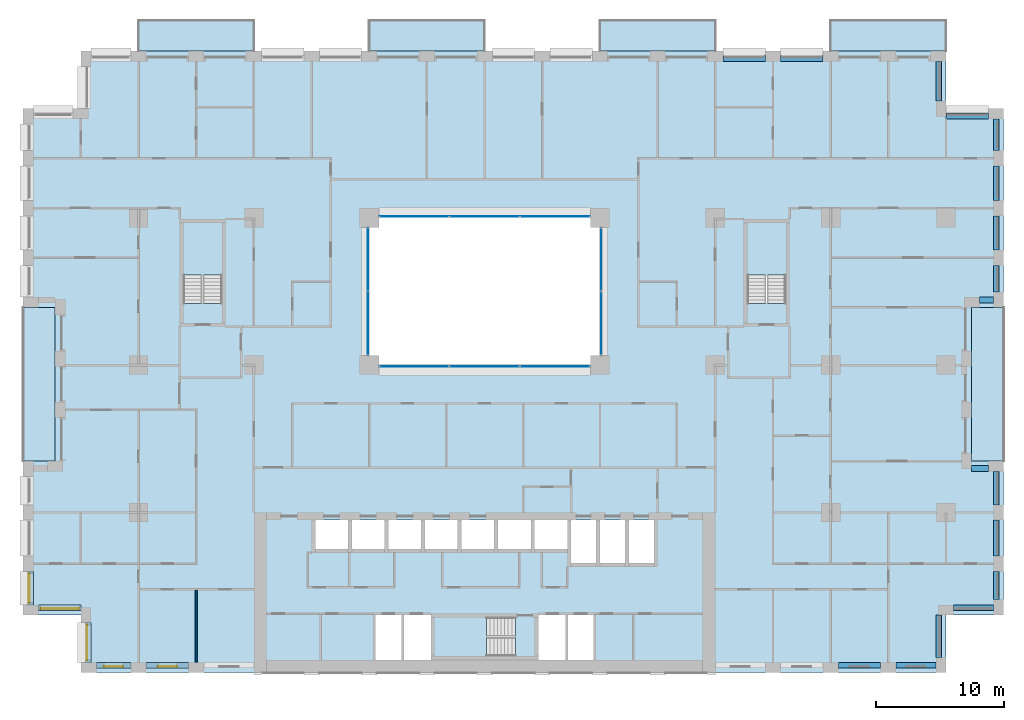
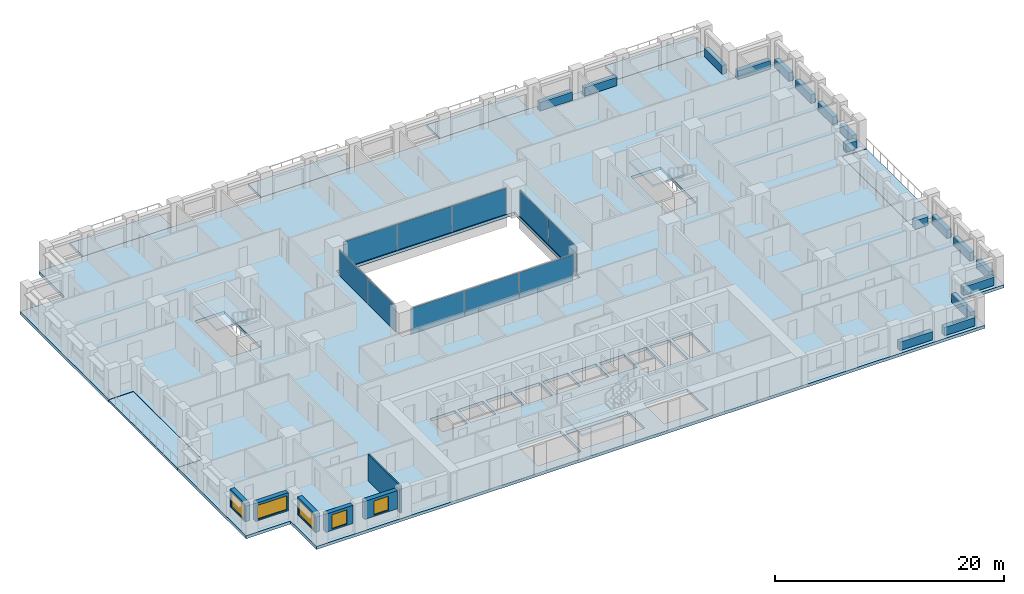
# One storey, part 8 of 19: 17 beams, 10 plates, 10 slabs, 6 walls, 5 windows, 5 openings, 7 elements without a shape of their own.
"""IFC4 building model written with IfcOpenShell, lengths in metres."""

from ifc_helpers import new_model, si_unit, direction, frame, frame_2d, origin, origin_2d, place, context, subcontext, project, spatial, polyline, rectangle, outline, extrude, material, layer, layer_set, material_profile, profile_set, type_object, element, fill, aggregate, save


model = new_model("IFC4")

# Units and contexts
model_context = context("Model", 3, precision=1e-05, world=origin(), true_north=direction((0.0, 1.0)))
body_context = subcontext(model_context, "Body", "Model", "MODEL_VIEW")
ifc_project = project(units=[si_unit("LENGTHUNIT", "METRE"), si_unit("AREAUNIT", "SQUARE_METRE"), si_unit("VOLUMEUNIT", "CUBIC_METRE"), si_unit("PLANEANGLEUNIT", "RADIAN"), si_unit("MASSUNIT", "GRAM", prefix="KILO")], contexts=[model_context])

# Site, building, storey
site_placement = place(None, origin())
site = spatial("IfcSite", under=ifc_project, at=site_placement, CompositionType="ELEMENT")
building_placement = place(site_placement, origin())
building = spatial("IfcBuilding", under=site, at=building_placement, Name="Brigalow Station Residences", CompositionType="ELEMENT")
storey_placement = place(building_placement, frame((0.0, 0.0, 19.5)))
storey = spatial("IfcBuildingStorey", under=building, at=storey_placement, Name="L04", CompositionType="ELEMENT", Elevation=19.5)

# Beams
ifc_material_1 = material(Name="Concrete C65", Category="concrete")
ifc_material_profile = material_profile(ifc_material_1, rectangle(XDim=0.449951171875, YDim=0.89990234375, at=origin_2d()), Name="RC450x900")
ifc_profile_set = profile_set([ifc_material_profile], Name="Concrete C65")
beam_type = type_object("IfcBeamType", Name="SPANDREL BEAM 450x900 C65", PredefinedType="SPANDREL", material=ifc_profile_set)
beam_1_placement = place(storey_placement, frame((63.60009765625, 0.574951171875, 0.449951171875), z_axis=(1.0, 0.0, 0.0), x_axis=(0.0, 1.0, 0.0)))
element("IfcBeam", 1, at=beam_1_placement, inside=storey, type_object=beam_type, Name="L04/spandrel/W-L04-7", PredefinedType="SPANDREL", context=body_context, shape_type="SweptSolid", body=[
    extrude(rectangle(XDim=0.449951171875, YDim=0.89990234375, at=origin_2d()), origin(), (0.0, 0.0, 1.0), 3.2998046875),
])
beam_2_placement = place(storey_placement, frame((68.10009765625, 0.574951171875, 0.449951171875), z_axis=(1.0, 0.0, 0.0), x_axis=(0.0, 1.0, 0.0)))
element("IfcBeam", 2, at=beam_2_placement, inside=storey, type_object=beam_type, Name="L04/spandrel/W-L04-8", PredefinedType="SPANDREL", context=body_context, shape_type="SweptSolid", body=[
    extrude(rectangle(XDim=0.449951171875, YDim=0.89990234375, at=origin_2d()), origin(), (0.0, 0.0, 1.0), 3.099853515625),
])
beam_3_placement = place(storey_placement, frame((71.425048828125, 1.199951171875, 0.449951171875), z_axis=(0.0, 1.0, 0.0), x_axis=(-1.0, 0.0, 0.0)))
element("IfcBeam", 3, at=beam_3_placement, inside=storey, type_object=beam_type, Name="L04/spandrel/W-L04-9", PredefinedType="SPANDREL", context=body_context, shape_type="SweptSolid", body=[
    extrude(rectangle(XDim=0.449951171875, YDim=0.89990234375, at=origin_2d()), origin(), (0.0, 0.0, 1.0), 3.300048828125),
])
beam_4_placement = place(storey_placement, frame((72.60009765625, 5.074951171875, 0.449951171875), z_axis=(1.0, 0.0, 0.0), x_axis=(0.0, 1.0, 0.0)))
element("IfcBeam", 4, at=beam_4_placement, inside=storey, type_object=beam_type, Name="L04/spandrel/W-L04-10", PredefinedType="SPANDREL", context=body_context, shape_type="SweptSolid", body=[
    extrude(rectangle(XDim=0.449951171875, YDim=0.89990234375, at=origin_2d()), origin(), (0.0, 0.0, 1.0), 3.099853515625),
])
beam_5_placement = place(storey_placement, frame((75.925048828125, 5.699951171875, 0.449951171875), z_axis=(0.0, 1.0, 0.0), x_axis=(-1.0, 0.0, 0.0)))
element("IfcBeam", 5, at=beam_5_placement, inside=storey, type_object=beam_type, Name="L04/spandrel/W-L04-11", PredefinedType="SPANDREL", context=body_context, shape_type="SweptSolid", body=[
    extrude(rectangle(XDim=0.449951171875, YDim=0.89990234375, at=origin_2d()), origin(), (0.0, 0.0, 1.0), 2.199951171875),
])
beam_6_placement = place(storey_placement, frame((75.925048828125, 9.10009765625, 0.449951171875), z_axis=(0.0, 1.0, 0.0), x_axis=(-1.0, 0.0, 0.0)))
element("IfcBeam", 6, at=beam_6_placement, inside=storey, type_object=beam_type, Name="L04/spandrel/W-L04-12", PredefinedType="SPANDREL", context=body_context, shape_type="SweptSolid", body=[
    extrude(rectangle(XDim=0.449951171875, YDim=0.89990234375, at=origin_2d()), origin(), (0.0, 0.0, 1.0), 2.7998046875),
])
beam_7_placement = place(storey_placement, frame((75.925048828125, 13.10009765625, 0.449951171875), z_axis=(0.0, 1.0, 0.0), x_axis=(-1.0, 0.0, 0.0)))
element("IfcBeam", 7, at=beam_7_placement, inside=storey, type_object=beam_type, Name="L04/spandrel/W-L04-13", PredefinedType="SPANDREL", context=body_context, shape_type="SweptSolid", body=[
    extrude(rectangle(XDim=0.449951171875, YDim=0.89990234375, at=origin_2d()), origin(), (0.0, 0.0, 1.0), 2.599853515625),
])
beam_8_placement = place(storey_placement, frame((75.300048828125, 15.925048828125, 0.449951171875), z_axis=(-1.0, 0.0, 0.0), x_axis=(0.0, -1.0, 0.0)))
element("IfcBeam", 8, at=beam_8_placement, inside=storey, type_object=beam_type, Name="L04/spandrel/W-L04-14", PredefinedType="SPANDREL", context=body_context, shape_type="SweptSolid", body=[
    extrude(rectangle(XDim=0.449951171875, YDim=0.89990234375, at=origin_2d()), origin(), (0.0, 0.0, 1.0), 1.300048828125),
])
beam_9_placement = place(storey_placement, frame((74.60009765625, 29.074951171875, 0.449951171875), z_axis=(1.0, 0.0, 0.0), x_axis=(0.0, 1.0, 0.0)))
element("IfcBeam", 9, at=beam_9_placement, inside=storey, type_object=beam_type, Name="L04/spandrel/W-L04-18", PredefinedType="SPANDREL", context=body_context, shape_type="SweptSolid", body=[
    extrude(rectangle(XDim=0.449951171875, YDim=0.89990234375, at=origin_2d()), origin(), (0.0, 0.0, 1.0), 1.099853515625),
])
beam_10_placement = place(storey_placement, frame((75.925048828125, 29.699951171875, 0.449951171875), z_axis=(0.0, 1.0, 0.0), x_axis=(-1.0, 0.0, 0.0)))
element("IfcBeam", 10, at=beam_10_placement, inside=storey, type_object=beam_type, Name="L04/spandrel/W-L04-19", PredefinedType="SPANDREL", context=body_context, shape_type="SweptSolid", body=[
    extrude(rectangle(XDim=0.449951171875, YDim=0.89990234375, at=origin_2d()), origin(), (0.0, 0.0, 1.0), 2.074951171875),
])
for number, where, z_axis, x_axis, name in (
    (11, (75.925048828125, 32.97509765625, 0.449951171875), (0.0, 1.0, 0.0), (-1.0, 0.0, 0.0), "L04/spandrel/W-L04-20"),
    (12, (75.925048828125, 36.85009765625, 0.449951171875), (0.0, 1.0, 0.0), (-1.0, 0.0, 0.0), "L04/spandrel/W-L04-21"),
):
    element("IfcBeam", number, at=place(storey_placement, frame(where, z_axis=z_axis, x_axis=x_axis)), inside=storey, type_object=beam_type, Name=name, PredefinedType="SPANDREL", context=body_context, shape_type="SweptSolid", body=[
        extrude(rectangle(XDim=0.449951171875, YDim=0.89990234375, at=origin_2d()), origin(), (0.0, 0.0, 1.0), 2.6748046875),
    ])
beam_11_placement = place(storey_placement, frame((75.925048828125, 40.72509765625, 0.449951171875), z_axis=(0.0, 1.0, 0.0), x_axis=(-1.0, 0.0, 0.0)))
element("IfcBeam", 13, at=beam_11_placement, inside=storey, type_object=beam_type, Name="L04/spandrel/W-L04-22", PredefinedType="SPANDREL", context=body_context, shape_type="SweptSolid", body=[
    extrude(rectangle(XDim=0.449951171875, YDim=0.89990234375, at=origin_2d()), origin(), (0.0, 0.0, 1.0), 2.474853515625),
])
beam_12_placement = place(storey_placement, frame((75.300048828125, 43.425048828125, 0.449951171875), z_axis=(-1.0, 0.0, 0.0), x_axis=(0.0, -1.0, 0.0)))
element("IfcBeam", 14, at=beam_12_placement, inside=storey, type_object=beam_type, Name="L04/spandrel/W-L04-23", PredefinedType="SPANDREL", context=body_context, shape_type="SweptSolid", body=[
    extrude(rectangle(XDim=0.449951171875, YDim=0.89990234375, at=origin_2d()), origin(), (0.0, 0.0, 1.0), 3.300048828125),
])
beam_13_placement = place(storey_placement, frame((71.425048828125, 44.60009765625, 0.449951171875), z_axis=(0.0, 1.0, 0.0), x_axis=(-1.0, 0.0, 0.0)))
element("IfcBeam", 15, at=beam_13_placement, inside=storey, type_object=beam_type, Name="L04/spandrel/W-L04-24", PredefinedType="SPANDREL", context=body_context, shape_type="SweptSolid", body=[
    extrude(rectangle(XDim=0.449951171875, YDim=0.89990234375, at=origin_2d()), origin(), (0.0, 0.0, 1.0), 3.099853515625),
])
for number, where, z_axis, x_axis, name in (
    (16, (62.39990234375, 47.925048828125, 0.449951171875), (-1.0, 0.0, 0.0), (0.0, -1.0, 0.0), "L04/spandrel/W-L04-27"),
    (17, (57.89990234375, 47.925048828125, 0.449951171875), (-1.0, 0.0, 0.0), (0.0, -1.0, 0.0), "L04/spandrel/W-L04-28"),
):
    element("IfcBeam", number, at=place(storey_placement, frame(where, z_axis=z_axis, x_axis=x_axis)), inside=storey, type_object=beam_type, Name=name, PredefinedType="SPANDREL", context=body_context, shape_type="SweptSolid", body=[
        extrude(rectangle(XDim=0.449951171875, YDim=0.89990234375, at=origin_2d()), origin(), (0.0, 0.0, 1.0), 3.2998046875),
    ])

# Curtain wall, plates
ifc_material_2 = material(Name="Aluminium", Category="aluminium")
ifc_layer_1 = layer(ifc_material_2, 0.14990234375)
ifc_layer_set_1 = layer_set([ifc_layer_1], Name="ATRIUM FIRE-RATED GLAZING CURTAIN WALL")
curtain_wall_type = type_object("IfcCurtainWallType", Name="ATRIUM FIRE-RATED GLAZING CURTAIN WALL", PredefinedType="NOTDEFINED", material=ifc_layer_set_1)
curtain_wall_1_placement = place(storey_placement, origin())
curtain_wall_1 = element("IfcCurtainWall", 18, at=curtain_wall_1_placement, inside=storey, type_object=curtain_wall_type, Name="L04/cw/atrium-S", PredefinedType="NOTDEFINED")
ifc_material_3 = material(Name="Fire-resisting laminated glazing, FRL -/60/-", Category="glass")
ifc_layer_2 = layer(ifc_material_3, 0.031982421875)
ifc_layer_set_2 = layer_set([ifc_layer_2], Name="ATRIUM FIRE-RATED GLAZING PANEL 32")
plate_type = type_object("IfcPlateType", Name="ATRIUM FIRE-RATED GLAZING PANEL 32", PredefinedType="CURTAIN_PANEL", material=ifc_layer_set_2)
plate_1_placement = place(storey_placement, frame((30.514892578125, 23.89990234375, 0.0), z_axis=(0.0, 0.0, 1.0), x_axis=(1.0, 0.0, 0.0)))
plate_1 = element("IfcPlate", 19, at=plate_1_placement, type_object=plate_type, Name="L04/cw/atrium-S/P00-00", PredefinedType="CURTAIN_PANEL", context=body_context, shape_type="SweptSolid", body=[
    extrude(rectangle(XDim=5.409912109375, YDim=0.031982421875, at=origin_2d()), origin(), (0.0, 0.0, 1.0), 2.77001953125),
])
plate_2_placement = place(storey_placement, frame((36.0, 23.89990234375, 0.0), z_axis=(0.0, 0.0, 1.0), x_axis=(1.0, 0.0, 0.0)))
plate_2 = element("IfcPlate", 20, at=plate_2_placement, type_object=plate_type, Name="L04/cw/atrium-S/P01-00", PredefinedType="CURTAIN_PANEL", context=body_context, shape_type="SweptSolid", body=[
    extrude(rectangle(XDim=5.43994140625, YDim=0.031982421875, at=origin_2d()), origin(), (0.0, 0.0, 1.0), 2.77001953125),
])
plate_3_placement = place(storey_placement, frame((41.485107421875, 23.89990234375, 0.0), z_axis=(0.0, 0.0, 1.0), x_axis=(1.0, 0.0, 0.0)))
plate_3 = element("IfcPlate", 21, at=plate_3_placement, type_object=plate_type, Name="L04/cw/atrium-S/P02-00", PredefinedType="CURTAIN_PANEL", context=body_context, shape_type="SweptSolid", body=[
    extrude(rectangle(XDim=5.409912109375, YDim=0.031982421875, at=origin_2d()), origin(), (0.0, 0.0, 1.0), 2.77001953125),
])
aggregate(curtain_wall_1, [plate_1, plate_2, plate_3])

curtain_wall_2_placement = place(storey_placement, origin())
curtain_wall_2 = element("IfcCurtainWall", 22, at=curtain_wall_2_placement, inside=storey, type_object=curtain_wall_type, Name="L04/cw/atrium-E", PredefinedType="NOTDEFINED")
plate_4_placement = place(storey_placement, frame((45.10009765625, 27.264892578125, 0.0), z_axis=(0.0, 0.0, 1.0), x_axis=(0.0, 1.0, 0.0)))
plate_4 = element("IfcPlate", 23, at=plate_4_placement, type_object=plate_type, Name="L04/cw/atrium-E/P00-00", PredefinedType="CURTAIN_PANEL", context=body_context, shape_type="SweptSolid", body=[
    extrude(rectangle(XDim=4.909912109375, YDim=0.031982421875, at=origin_2d()), origin(), (0.0, 0.0, 1.0), 2.77001953125),
])
plate_5_placement = place(storey_placement, frame((45.10009765625, 32.235107421875, 0.0), z_axis=(0.0, 0.0, 1.0), x_axis=(0.0, 1.0, 0.0)))
plate_5 = element("IfcPlate", 24, at=plate_5_placement, type_object=plate_type, Name="L04/cw/atrium-E/P01-00", PredefinedType="CURTAIN_PANEL", context=body_context, shape_type="SweptSolid", body=[
    extrude(rectangle(XDim=4.909912109375, YDim=0.031982421875, at=origin_2d()), origin(), (0.0, 0.0, 1.0), 2.77001953125),
])
aggregate(curtain_wall_2, [plate_4, plate_5])

curtain_wall_3_placement = place(storey_placement, origin())
curtain_wall_3 = element("IfcCurtainWall", 25, at=curtain_wall_3_placement, inside=storey, type_object=curtain_wall_type, Name="L04/cw/atrium-N", PredefinedType="NOTDEFINED")
plate_6_placement = place(storey_placement, frame((41.485107421875, 35.60009765625, 0.0), z_axis=(0.0, 0.0, 1.0), x_axis=(-1.0, 0.0, 0.0)))
plate_6 = element("IfcPlate", 26, at=plate_6_placement, type_object=plate_type, Name="L04/cw/atrium-N/P00-00", PredefinedType="CURTAIN_PANEL", context=body_context, shape_type="SweptSolid", body=[
    extrude(rectangle(XDim=5.409912109375, YDim=0.031982421875, at=origin_2d()), origin(), (0.0, 0.0, 1.0), 2.77001953125),
])
plate_7_placement = place(storey_placement, frame((36.0, 35.60009765625, 0.0), z_axis=(0.0, 0.0, 1.0), x_axis=(-1.0, 0.0, 0.0)))
plate_7 = element("IfcPlate", 27, at=plate_7_placement, type_object=plate_type, Name="L04/cw/atrium-N/P01-00", PredefinedType="CURTAIN_PANEL", context=body_context, shape_type="SweptSolid", body=[
    extrude(rectangle(XDim=5.43994140625, YDim=0.031982421875, at=origin_2d()), origin(), (0.0, 0.0, 1.0), 2.77001953125),
])
plate_8_placement = place(storey_placement, frame((30.514892578125, 35.60009765625, 0.0), z_axis=(0.0, 0.0, 1.0), x_axis=(-1.0, 0.0, 0.0)))
plate_8 = element("IfcPlate", 28, at=plate_8_placement, type_object=plate_type, Name="L04/cw/atrium-N/P02-00", PredefinedType="CURTAIN_PANEL", context=body_context, shape_type="SweptSolid", body=[
    extrude(rectangle(XDim=5.409912109375, YDim=0.031982421875, at=origin_2d()), origin(), (0.0, 0.0, 1.0), 2.77001953125),
])
aggregate(curtain_wall_3, [plate_6, plate_7, plate_8])

curtain_wall_4_placement = place(storey_placement, origin())
curtain_wall_4 = element("IfcCurtainWall", 29, at=curtain_wall_4_placement, inside=storey, type_object=curtain_wall_type, Name="L04/cw/atrium-W", PredefinedType="NOTDEFINED")
plate_9_placement = place(storey_placement, frame((26.89990234375, 32.235107421875, 0.0), z_axis=(0.0, 0.0, 1.0), x_axis=(0.0, -1.0, 0.0)))
plate_9 = element("IfcPlate", 30, at=plate_9_placement, type_object=plate_type, Name="L04/cw/atrium-W/P00-00", PredefinedType="CURTAIN_PANEL", context=body_context, shape_type="SweptSolid", body=[
    extrude(rectangle(XDim=4.909912109375, YDim=0.031982421875, at=origin_2d()), origin(), (0.0, 0.0, 1.0), 2.77001953125),
])
plate_10_placement = place(storey_placement, frame((26.89990234375, 27.264892578125, 0.0), z_axis=(0.0, 0.0, 1.0), x_axis=(0.0, -1.0, 0.0)))
plate_10 = element("IfcPlate", 31, at=plate_10_placement, type_object=plate_type, Name="L04/cw/atrium-W/P01-00", PredefinedType="CURTAIN_PANEL", context=body_context, shape_type="SweptSolid", body=[
    extrude(rectangle(XDim=4.909912109375, YDim=0.031982421875, at=origin_2d()), origin(), (0.0, 0.0, 1.0), 2.77001953125),
])
aggregate(curtain_wall_4, [plate_9, plate_10])

# Slabs
ifc_material_4 = material(Name="Concrete C50 precast", Category="concrete")
ifc_layer_3 = layer(ifc_material_4, 0.25)
ifc_layer_set_3 = layer_set([ifc_layer_3], Name="BALCONY SLAB 250")
slab_type_1 = type_object("IfcSlabType", Name="BALCONY SLAB 250", PredefinedType="USERDEFINED", material=ifc_layer_set_3)
slab_1_placement = place(storey_placement, frame((0.0, 0.0, -0.2900390625)))
element("IfcSlab", 32, at=slab_1_placement, inside=storey, type_object=slab_type_1, Name="L04/balcony/1", ObjectType="BALCONY", PredefinedType="USERDEFINED", context=body_context, shape_type="SweptSolid", body=[
    extrude(outline(polyline([(74.0, 16.5), (76.5, 16.5), (76.5, 28.5), (74.0, 28.5), (74.0, 16.5)])), origin(), (0.0, 0.0, 1.0), 0.25),
])
slab_2_placement = place(storey_placement, frame((0.0, 0.0, -0.2900390625)))
element("IfcSlab", 33, at=slab_2_placement, inside=storey, type_object=slab_type_1, Name="L04/balcony/2", ObjectType="BALCONY", PredefinedType="USERDEFINED", context=body_context, shape_type="SweptSolid", body=[
    extrude(outline(polyline([(72.0, 48.5), (72.0, 50.89990234375), (63.0, 50.89990234375), (63.0, 48.5), (72.0, 48.5)])), origin(), (0.0, 0.0, 1.0), 0.25),
])
slab_3_placement = place(storey_placement, frame((0.0, 0.0, -0.2900390625)))
element("IfcSlab", 34, at=slab_3_placement, inside=storey, type_object=slab_type_1, Name="L04/balcony/3", ObjectType="BALCONY", PredefinedType="USERDEFINED", context=body_context, shape_type="SweptSolid", body=[
    extrude(outline(polyline([(54.0, 48.5), (54.0, 50.89990234375), (45.0, 50.89990234375), (45.0, 48.5), (54.0, 48.5)])), origin(), (0.0, 0.0, 1.0), 0.25),
])
slab_4_placement = place(storey_placement, frame((0.0, 0.0, -0.2900390625)))
element("IfcSlab", 35, at=slab_4_placement, inside=storey, type_object=slab_type_1, Name="L04/balcony/4", ObjectType="BALCONY", PredefinedType="USERDEFINED", context=body_context, shape_type="SweptSolid", body=[
    extrude(outline(polyline([(36.0, 48.5), (36.0, 50.89990234375), (27.0, 50.89990234375), (27.0, 48.5), (36.0, 48.5)])), origin(), (0.0, 0.0, 1.0), 0.25),
])
slab_5_placement = place(storey_placement, frame((0.0, 0.0, -0.2900390625)))
element("IfcSlab", 36, at=slab_5_placement, inside=storey, type_object=slab_type_1, Name="L04/balcony/5", ObjectType="BALCONY", PredefinedType="USERDEFINED", context=body_context, shape_type="SweptSolid", body=[
    extrude(outline(polyline([(18.0, 48.5), (18.0, 50.89990234375), (9.0, 50.89990234375), (9.0, 48.5), (18.0, 48.5)])), origin(), (0.0, 0.0, 1.0), 0.25),
])
slab_6_placement = place(storey_placement, frame((0.0, 0.0, -0.2900390625)))
element("IfcSlab", 37, at=slab_6_placement, inside=storey, type_object=slab_type_1, Name="L04/balcony/6", ObjectType="BALCONY", PredefinedType="USERDEFINED", context=body_context, shape_type="SweptSolid", body=[
    extrude(outline(polyline([(2.5, 28.5), (0.0, 28.5), (0.0, 16.5), (2.5, 16.5), (2.5, 28.5)])), origin(), (0.0, 0.0, 1.0), 0.25),
])
ifc_material_5 = material(Name="Concrete C50", Category="concrete")
ifc_layer_4 = layer(ifc_material_5, 0.320068359375)
ifc_layer_set_4 = layer_set([ifc_layer_4], Name="POST-TENSIONED FLAT PLATE 320 C50")
slab_type_2 = type_object("IfcSlabType", Name="POST-TENSIONED FLAT PLATE 320 C50", PredefinedType="FLOOR", material=ifc_layer_set_4)
slab_7_placement = place(storey_placement, frame((0.0, 0.0, -0.320068359375)))
element("IfcSlab", 38, at=slab_7_placement, inside=storey, type_object=slab_type_2, Name="FLOOR SLAB L04", PredefinedType="FLOOR", context=body_context, shape_type="SweptSolid", body=[
    extrude(outline(polyline([(4.5, 0.0), (72.0, 0.0), (72.0, 4.5), (76.5, 4.5), (76.5, 16.5), (74.0, 16.5), (74.0, 28.5), (76.5, 28.5), (76.5, 44.0), (72.0, 44.0), (72.0, 48.5), (4.5, 48.5), (4.5, 44.0), (0.0, 44.0), (0.0, 28.5), (2.5, 28.5), (2.5, 16.5), (0.0, 16.5), (0.0, 4.5), (4.5, 4.5), (4.5, 0.0)]), holes=[polyline([(15.4951171875, 35.094970703125), (15.4951171875, 28.804931640625), (12.5048828125, 28.804931640625), (12.5048828125, 35.094970703125), (15.4951171875, 35.094970703125)]), polyline([(22.800048828125, 11.89990234375), (25.35009765625, 11.89990234375), (25.35009765625, 9.64990234375), (22.800048828125, 9.64990234375), (22.800048828125, 11.89990234375)]), polyline([(25.64990234375, 11.89990234375), (28.199951171875, 11.89990234375), (28.199951171875, 9.64990234375), (25.64990234375, 9.64990234375), (25.64990234375, 11.89990234375)]), polyline([(28.5, 11.89990234375), (31.050048828125, 11.89990234375), (31.050048828125, 9.64990234375), (28.5, 9.64990234375), (28.5, 11.89990234375)]), polyline([(29.60009765625, 1.0), (27.39990234375, 1.0), (27.39990234375, 4.60009765625), (29.60009765625, 4.60009765625), (31.800048828125, 4.60009765625), (31.800048828125, 1.0), (29.60009765625, 1.0)]), polyline([(31.35009765625, 11.89990234375), (33.89990234375, 11.89990234375), (33.89990234375, 9.64990234375), (31.35009765625, 9.64990234375), (31.35009765625, 11.89990234375)]), polyline([(32.10498046875, 4.294921875), (38.39501953125, 4.294921875), (38.39501953125, 1.304931640625), (32.10498046875, 1.304931640625), (32.10498046875, 4.294921875)]), polyline([(36.75, 11.89990234375), (36.75, 9.64990234375), (34.199951171875, 9.64990234375), (34.199951171875, 11.89990234375), (36.75, 11.89990234375)]), polyline([(37.050048828125, 11.89990234375), (39.60009765625, 11.89990234375), (39.60009765625, 9.64990234375), (37.050048828125, 9.64990234375), (37.050048828125, 11.89990234375)]), polyline([(39.89990234375, 11.89990234375), (42.449951171875, 11.89990234375), (42.449951171875, 9.64990234375), (39.89990234375, 9.64990234375), (39.89990234375, 11.89990234375)]), polyline([(42.39990234375, 1.0), (40.199951171875, 1.0), (40.199951171875, 4.60009765625), (42.39990234375, 4.60009765625), (44.60009765625, 4.60009765625), (44.60009765625, 1.0), (42.39990234375, 1.0)]), polyline([(42.75, 11.89990234375), (44.699951171875, 11.89990234375), (44.699951171875, 8.550048828125), (42.75, 8.550048828125), (42.75, 11.89990234375)]), polyline([(45.0, 11.89990234375), (46.949951171875, 11.89990234375), (46.949951171875, 8.550048828125), (45.0, 8.550048828125), (45.0, 11.89990234375)]), polyline([(45.0, 35.5), (45.0, 24.0), (27.0, 24.0), (27.0, 35.5), (45.0, 35.5)]), polyline([(47.25, 11.89990234375), (49.199951171875, 11.89990234375), (49.199951171875, 8.550048828125), (47.25, 8.550048828125), (47.25, 11.89990234375)]), polyline([(59.4951171875, 35.094970703125), (59.4951171875, 28.804931640625), (56.5048828125, 28.804931640625), (56.5048828125, 35.094970703125), (59.4951171875, 35.094970703125)])]), origin(), (0.0, 0.0, 1.0), 0.320068359375),
])

# Stair, slab
ifc_material_6 = material(Name="Concrete C50", Category="concrete")
stair_type = type_object("IfcStairType", Name="EXIT STAIR 1400 2 FLIGHT", PredefinedType="HALF_TURN_STAIR", material=ifc_material_6)
stair_1_placement = place(storey_placement, origin())
stair_1 = element("IfcStair", 39, at=stair_1_placement, inside=storey, type_object=stair_type, Name="EXIT STAIR S2 L04", PredefinedType="HALF_TURN_STAIR")
ifc_material_7 = material(Name="Concrete C50", Category="concrete")
ifc_layer_5 = layer(ifc_material_7, 0.199951171875)
ifc_layer_set_5 = layer_set([ifc_layer_5], Name="STAIR LANDING 200")
slab_type_3 = type_object("IfcSlabType", Name="STAIR LANDING 200", PredefinedType="LANDING", material=ifc_layer_set_5)
slab_8_placement = place(storey_placement, frame((0.0, 0.0, 1.375)))
slab_8 = element("IfcSlab", 40, at=slab_8_placement, type_object=slab_type_3, Name="ST-2 landing 1", PredefinedType="LANDING", context=body_context, shape_type="SweptSolid", body=[
    extrude(outline(polyline([(32.0, 1.199951171875), (36.159912109375, 1.199951171875), (36.159912109375, 4.39990234375), (32.0, 4.39990234375), (32.0, 1.199951171875)])), origin(), (0.0, 0.0, 1.0), 0.199951171875),
])
aggregate(stair_1, [slab_8])

stair_2_placement = place(storey_placement, origin())
stair_2 = element("IfcStair", 41, at=stair_2_placement, inside=storey, type_object=stair_type, Name="EXIT STAIR S1 L04", PredefinedType="HALF_TURN_STAIR")
slab_9_placement = place(storey_placement, frame((0.0, 0.0, 1.375)))
slab_9 = element("IfcSlab", 42, at=slab_9_placement, type_object=slab_type_3, Name="ST-1 landing 1", PredefinedType="LANDING", context=body_context, shape_type="SweptSolid", body=[
    extrude(outline(polyline([(12.39990234375, 31.0400390625), (15.60009765625, 31.0400390625), (15.60009765625, 35.199951171875), (12.39990234375, 35.199951171875), (12.39990234375, 31.0400390625)])), origin(), (0.0, 0.0, 1.0), 0.199951171875),
])
aggregate(stair_2, [slab_9])

stair_3_placement = place(storey_placement, origin())
stair_3 = element("IfcStair", 43, at=stair_3_placement, inside=storey, type_object=stair_type, Name="EXIT STAIR S3 L04", PredefinedType="HALF_TURN_STAIR")
slab_10_placement = place(storey_placement, frame((0.0, 0.0, 1.375)))
slab_10 = element("IfcSlab", 44, at=slab_10_placement, type_object=slab_type_3, Name="ST-3 landing 1", PredefinedType="LANDING", context=body_context, shape_type="SweptSolid", body=[
    extrude(outline(polyline([(56.39990234375, 31.0400390625), (59.60009765625, 31.0400390625), (59.60009765625, 35.199951171875), (56.39990234375, 35.199951171875), (56.39990234375, 31.0400390625)])), origin(), (0.0, 0.0, 1.0), 0.199951171875),
])
aggregate(stair_3, [slab_10])

# Wall, opening, window
ifc_material_8 = material(Name="Clay brick masonry", Category="masonry")
ifc_layer_6 = layer(ifc_material_8, 0.449951171875)
ifc_layer_set_6 = layer_set([ifc_layer_6], Name="BRICK INFILL WALL 450")
wall_type_1 = type_object("IfcWallType", Name="BRICK INFILL WALL 450", PredefinedType="SOLIDWALL", material=ifc_layer_set_6)
wall_1_placement = place(storey_placement, frame((5.699951171875, 0.574951171875, 0.89990234375), z_axis=(0.0, 0.0, 1.0), x_axis=(1.0, 0.0, 0.0)))
wall_1 = element("IfcWall", 45, at=wall_1_placement, inside=storey, type_object=wall_type_1, Name="L04/ewall/W-L04-1", PredefinedType="SOLIDWALL", context=body_context, shape_type="SweptSolid", body=[
    extrude(rectangle(XDim=2.699951171875, YDim=0.449951171875, at=frame_2d((1.35009765625, 0.0))), origin(), (0.0, 0.0, 1.0), 1.93017578125),
])
opening_1_placement = place(wall_1_placement, frame((0.60009765625, 0.0, 0.14990234375)))
opening_1 = element("IfcOpeningElement", 46, at=opening_1_placement, cuts=wall_1, Name="Opening WT-1", PredefinedType="OPENING", context=body_context, shape_type="SweptSolid", body=[
    extrude(rectangle(XDim=1.5, YDim=1.5, at=frame_2d((0.75, 0.75))), frame((0.0, 0.23486328125, 0.0), z_axis=(0.0, -1.0, 0.0), x_axis=(1.0, 0.0, 0.0)), (0.0, 0.0, 1.0), 0.469970703125),
])
ifc_material_9 = material(Name="Anodised aluminium frame with double glazing", Category="aluminium")
window_type_1 = type_object("IfcWindowType", Name="WINDOW 1500x1500", PartitioningType="SINGLE_PANEL", PredefinedType="WINDOW", material=ifc_material_9)
window_1_placement = place(opening_1_placement, origin())
window_1 = element("IfcWindow", 47, at=window_1_placement, inside=storey, type_object=window_type_1, Name="L04/window/W-L04-1", OverallHeight=1.5, OverallWidth=1.5, PartitioningType="SINGLE_PANEL", PredefinedType="WINDOW", context=body_context, shape_type="SweptSolid", body=[
    extrude(rectangle(XDim=1.5, YDim=1.5, at=frame_2d((0.75, 0.75))), frame((0.0, -0.06494140625, 0.0), z_axis=(0.0, -1.0, 0.0), x_axis=(1.0, 0.0, 0.0)), (0.0, 0.0, 1.0), 0.06005859375),
])
fill(opening_1, window_1)

wall_2_placement = place(storey_placement, frame((9.60009765625, 0.574951171875, 0.89990234375), z_axis=(0.0, 0.0, 1.0), x_axis=(1.0, 0.0, 0.0)))
wall_2 = element("IfcWall", 48, at=wall_2_placement, inside=storey, type_object=wall_type_1, Name="L04/ewall/W-L04-2", PredefinedType="SOLIDWALL", context=body_context, shape_type="SweptSolid", body=[
    extrude(rectangle(XDim=3.2998046875, YDim=0.449951171875, at=frame_2d((1.64990234375, 0.0))), origin(), (0.0, 0.0, 1.0), 1.93017578125),
])
opening_2_placement = place(wall_2_placement, frame((0.89990234375, 0.0, 0.14990234375)))
opening_2 = element("IfcOpeningElement", 49, at=opening_2_placement, cuts=wall_2, Name="Opening WT-1", PredefinedType="OPENING", context=body_context, shape_type="SweptSolid", body=[
    extrude(rectangle(XDim=1.5, YDim=1.5, at=frame_2d((0.75, 0.75))), frame((0.0, 0.23486328125, 0.0), z_axis=(0.0, -1.0, 0.0), x_axis=(1.0, 0.0, 0.0)), (0.0, 0.0, 1.0), 0.469970703125),
])
window_2_placement = place(opening_2_placement, origin())
window_2 = element("IfcWindow", 50, at=window_2_placement, inside=storey, type_object=window_type_1, Name="L04/window/W-L04-2", OverallHeight=1.5, OverallWidth=1.5, PartitioningType="SINGLE_PANEL", PredefinedType="WINDOW", context=body_context, shape_type="SweptSolid", body=[
    extrude(rectangle(XDim=1.5, YDim=1.5, at=frame_2d((0.75, 0.75))), frame((0.0, -0.06494140625, 0.0), z_axis=(0.0, -1.0, 0.0), x_axis=(1.0, 0.0, 0.0)), (0.0, 0.0, 1.0), 0.06005859375),
])
fill(opening_2, window_2)

wall_3_placement = place(storey_placement, frame((0.574951171875, 7.89990234375, 0.89990234375), z_axis=(0.0, 0.0, 1.0), x_axis=(0.0, -1.0, 0.0)))
wall_3 = element("IfcWall", 51, at=wall_3_placement, inside=storey, type_object=wall_type_1, Name="L04/ewall/W-L04-53", PredefinedType="SOLIDWALL", context=body_context, shape_type="SweptSolid", body=[
    extrude(rectangle(XDim=2.599853515625, YDim=0.449951171875, at=frame_2d((1.2998046875, 0.0))), origin(), (0.0, 0.0, 1.0), 1.93017578125),
])
opening_3_placement = place(wall_3_placement, frame((0.175048828125, 0.0, 0.14990234375)))
opening_3 = element("IfcOpeningElement", 52, at=opening_3_placement, cuts=wall_3, Name="Opening WT-6", PredefinedType="OPENING", context=body_context, shape_type="SweptSolid", body=[
    extrude(rectangle(XDim=2.25, YDim=1.5, at=frame_2d((1.125, 0.75))), frame((0.0, 0.23486328125, 0.0), z_axis=(0.0, -1.0, 0.0), x_axis=(1.0, 0.0, 0.0)), (0.0, 0.0, 1.0), 0.469970703125),
])
ifc_material_10 = material(Name="Anodised aluminium frame with double glazing", Category="aluminium")
window_type_2 = type_object("IfcWindowType", Name="WINDOW 2250x1500", PartitioningType="SINGLE_PANEL", PredefinedType="WINDOW", material=ifc_material_10)
window_3_placement = place(opening_3_placement, origin())
window_3 = element("IfcWindow", 53, at=window_3_placement, inside=storey, type_object=window_type_2, Name="L04/window/W-L04-53", OverallHeight=1.5, OverallWidth=2.25, PartitioningType="SINGLE_PANEL", PredefinedType="WINDOW", context=body_context, shape_type="SweptSolid", body=[
    extrude(rectangle(XDim=2.25, YDim=1.5, at=frame_2d((1.125, 0.75))), frame((0.0, -0.06494140625, 0.0), z_axis=(0.0, -1.0, 0.0), x_axis=(1.0, 0.0, 0.0)), (0.0, 0.0, 1.0), 0.06005859375),
])
fill(opening_3, window_3)

wall_4_placement = place(storey_placement, frame((1.199951171875, 5.074951171875, 0.89990234375), z_axis=(0.0, 0.0, 1.0), x_axis=(1.0, 0.0, 0.0)))
wall_4 = element("IfcWall", 54, at=wall_4_placement, inside=storey, type_object=wall_type_1, Name="L04/ewall/W-L04-54", PredefinedType="SOLIDWALL", context=body_context, shape_type="SweptSolid", body=[
    extrude(rectangle(XDim=3.300048828125, YDim=0.449951171875, at=frame_2d((1.64990234375, 0.0))), origin(), (0.0, 0.0, 1.0), 1.93017578125),
])
opening_4_placement = place(wall_4_placement, frame((0.14990234375, 0.0, 0.14990234375)))
opening_4 = element("IfcOpeningElement", 55, at=opening_4_placement, cuts=wall_4, Name="Opening WT-2", PredefinedType="OPENING", context=body_context, shape_type="SweptSolid", body=[
    extrude(rectangle(XDim=3.0, YDim=1.5, at=frame_2d((1.5, 0.75))), frame((0.0, 0.23486328125, 0.0), z_axis=(0.0, -1.0, 0.0), x_axis=(1.0, 0.0, 0.0)), (0.0, 0.0, 1.0), 0.469970703125),
])
ifc_material_11 = material(Name="Anodised aluminium frame with double glazing", Category="aluminium")
window_type_3 = type_object("IfcWindowType", Name="WINDOW 3000x1500", PartitioningType="SINGLE_PANEL", PredefinedType="WINDOW", material=ifc_material_11)
window_4_placement = place(opening_4_placement, origin())
window_4 = element("IfcWindow", 56, at=window_4_placement, inside=storey, type_object=window_type_3, Name="L04/window/W-L04-54", OverallHeight=1.5, OverallWidth=3.0, PartitioningType="SINGLE_PANEL", PredefinedType="WINDOW", context=body_context, shape_type="SweptSolid", body=[
    extrude(rectangle(XDim=3.0, YDim=1.5, at=frame_2d((1.5, 0.75))), frame((0.0, -0.06494140625, 0.0), z_axis=(0.0, -1.0, 0.0), x_axis=(1.0, 0.0, 0.0)), (0.0, 0.0, 1.0), 0.06005859375),
])
fill(opening_4, window_4)

wall_5_placement = place(storey_placement, frame((5.074951171875, 3.89990234375, 0.89990234375), z_axis=(0.0, 0.0, 1.0), x_axis=(0.0, -1.0, 0.0)))
wall_5 = element("IfcWall", 57, at=wall_5_placement, inside=storey, type_object=wall_type_1, Name="L04/ewall/W-L04-55", PredefinedType="SOLIDWALL", context=body_context, shape_type="SweptSolid", body=[
    extrude(rectangle(XDim=3.099853515625, YDim=0.449951171875, at=frame_2d((1.5498046875, 0.0))), origin(), (0.0, 0.0, 1.0), 1.93017578125),
])
opening_5_placement = place(wall_5_placement, frame((0.175048828125, 0.0, 0.14990234375)))
opening_5 = element("IfcOpeningElement", 58, at=opening_5_placement, cuts=wall_5, Name="Opening WT-3", PredefinedType="OPENING", context=body_context, shape_type="SweptSolid", body=[
    extrude(rectangle(XDim=2.75, YDim=1.5, at=frame_2d((1.375, 0.75))), frame((0.0, 0.23486328125, 0.0), z_axis=(0.0, -1.0, 0.0), x_axis=(1.0, 0.0, 0.0)), (0.0, 0.0, 1.0), 0.469970703125),
])
ifc_material_12 = material(Name="Anodised aluminium frame with double glazing", Category="aluminium")
window_type_4 = type_object("IfcWindowType", Name="WINDOW 2750x1500", PartitioningType="SINGLE_PANEL", PredefinedType="WINDOW", material=ifc_material_12)
window_5_placement = place(opening_5_placement, origin())
window_5 = element("IfcWindow", 59, at=window_5_placement, inside=storey, type_object=window_type_4, Name="L04/window/W-L04-55", OverallHeight=1.5, OverallWidth=2.75, PartitioningType="SINGLE_PANEL", PredefinedType="WINDOW", context=body_context, shape_type="SweptSolid", body=[
    extrude(rectangle(XDim=2.75, YDim=1.5, at=frame_2d((1.375, 0.75))), frame((0.0, -0.06494140625, 0.0), z_axis=(0.0, -1.0, 0.0), x_axis=(1.0, 0.0, 0.0)), (0.0, 0.0, 1.0), 0.06005859375),
])
fill(opening_5, window_5)

# Wall
ifc_material_13 = material(Name="Plasterboard on steel stud partition", Category="steel")
ifc_layer_7 = layer(ifc_material_13, 0.14990234375)
ifc_layer_set_7 = layer_set([ifc_layer_7], Name="FLAT PARTITION 150")
wall_type_2 = type_object("IfcWallType", Name="FLAT PARTITION 150", PredefinedType="PARTITIONING", material=ifc_layer_set_7)
wall_6_placement = place(storey_placement, frame((13.5, 0.800048828125, 0.0), z_axis=(0.0, 0.0, 1.0), x_axis=(0.0, 1.0, 0.0)))
element("IfcWall", 60, at=wall_6_placement, inside=storey, type_object=wall_type_2, Name="PW-1A53", PredefinedType="PARTITIONING", context=body_context, shape_type="SweptSolid", body=[
    extrude(rectangle(XDim=5.625, YDim=0.14990234375, at=frame_2d((2.8125, 0.0))), origin(), (0.0, 0.0, 1.0), 2.830078125),
])

save(model, "model.ifc")
